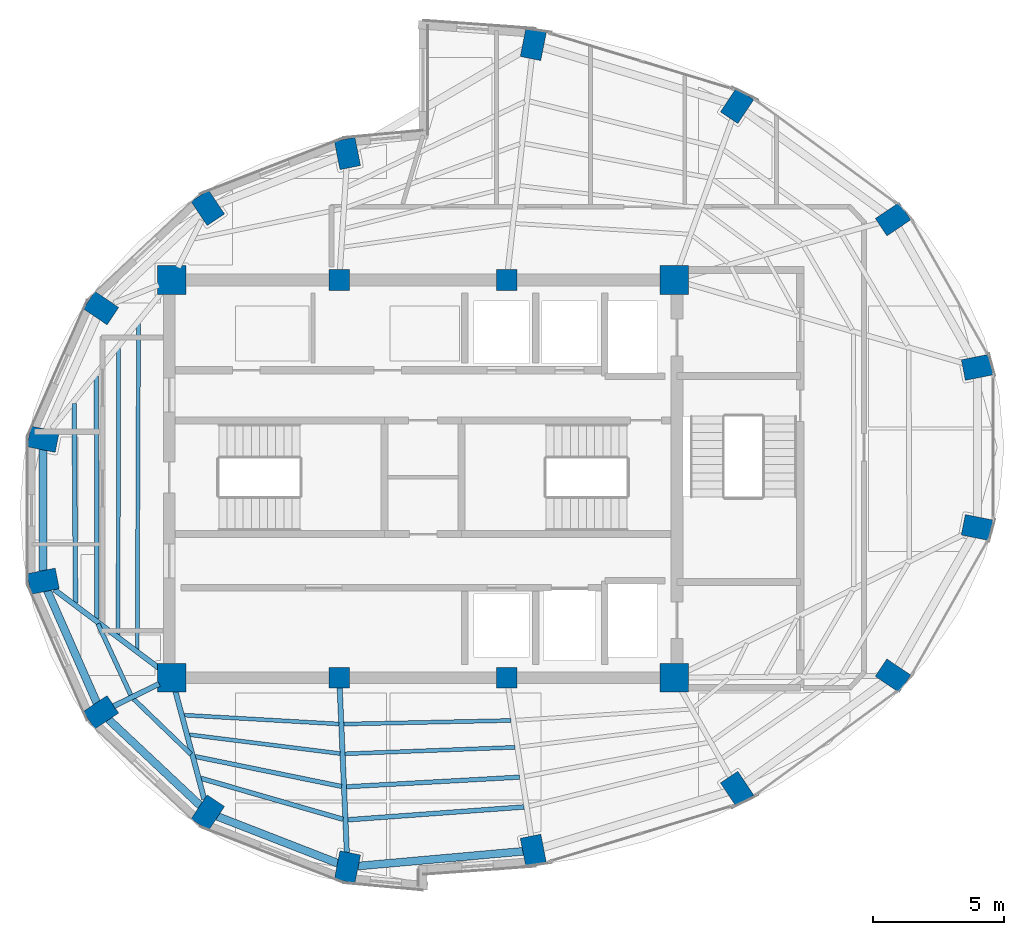
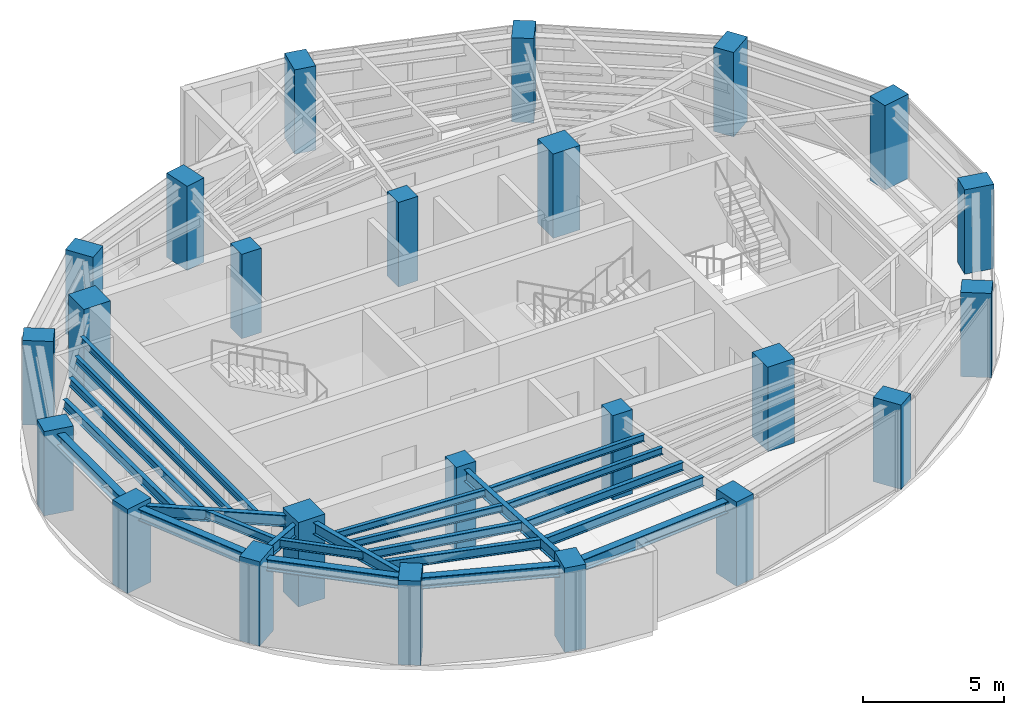
# One storey, part 1 of 13: 24 columns, 23 beams.
"""IFC4 building model written with IfcOpenShell, lengths in metres."""

from ifc_helpers import new_model, si_unit, direction, frame, origin, origin_2d, place, context, subcontext, project, spatial, rectangle, i_section, extrude, material, material_profile, profile_set, type_object, element, save


model = new_model("IFC4")

# Units and contexts
model_context = context("Model", 3, precision=1e-05, world=origin(), true_north=direction((0.0, 1.0)))
body_context = subcontext(model_context, "Body", "Model", "MODEL_VIEW")
ifc_project = project(units=[si_unit("LENGTHUNIT", "METRE"), si_unit("AREAUNIT", "SQUARE_METRE"), si_unit("VOLUMEUNIT", "CUBIC_METRE"), si_unit("PLANEANGLEUNIT", "RADIAN"), si_unit("MASSUNIT", "GRAM", prefix="KILO")], contexts=[model_context])

# Site, building, storey
site_placement = place(None, origin())
site = spatial("IfcSite", under=ifc_project, at=site_placement, CompositionType="ELEMENT")
building_placement = place(site_placement, origin())
building = spatial("IfcBuilding", under=site, at=building_placement, Name="Lazwardi Medical Tower", CompositionType="ELEMENT")
storey_placement = place(building_placement, frame((0.0, 0.0, 295.152099609375)))
storey = spatial("IfcBuildingStorey", under=building, at=storey_placement, Name="L77", CompositionType="ELEMENT", Elevation=295.152099609375)

# Columns
ifc_material_1 = material(Name="Concrete C80/95", Category="concrete")
ifc_material_profile_1 = material_profile(ifc_material_1, rectangle(XDim=1.10009765625, YDim=1.10009765625, at=origin_2d()), Name="RC 1100x1100")
ifc_profile_set_1 = profile_set([ifc_material_profile_1], Name="Concrete C80/95")
column_type_1 = type_object("IfcColumnType", Name="COL-CC-L", PredefinedType="COLUMN", material=ifc_profile_set_1)
for number, where, z_axis, x_axis, name in (
    (1, (26.39990234375, 20.39990234375, 0.0), (0.0, 0.0, 1.0), (1.0, 0.0, 0.0), "Core column CC-01 CC1 L77"),
    (2, (45.60009765625, 20.39990234375, 0.0), (0.0, 0.0, 1.0), (1.0, 0.0, 0.0), "Core column CC-01 CC4 L77"),
    (3, (45.60009765625, 35.60009765625, 0.0), (0.0, 0.0, 1.0), (1.0, 0.0, 0.0), "Core column CC-01 CC5 L77"),
    (4, (26.39990234375, 35.60009765625, 0.0), (0.0, 0.0, 1.0), (1.0, 0.0, 0.0), "Core column CC-01 CC8 L77"),
):
    element("IfcColumn", number, at=place(storey_placement, frame(where, z_axis=z_axis, x_axis=x_axis)), inside=storey, type_object=column_type_1, Name=name, PredefinedType="COLUMN", context=body_context, shape_type="SweptSolid", body=[
        extrude(rectangle(XDim=1.10009765625, YDim=1.10009765625, at=origin_2d()), origin(), (0.0, 0.0, 1.0), 3.64794921875),
    ])
ifc_material_2 = material(Name="Concrete C60/75", Category="concrete")
ifc_material_profile_2 = material_profile(ifc_material_2, rectangle(XDim=0.800048828125, YDim=0.800048828125, at=origin_2d()), Name="RC 800x800")
ifc_profile_set_2 = profile_set([ifc_material_profile_2], Name="Concrete C60/75")
column_type_2 = type_object("IfcColumnType", Name="COL-CC-U", PredefinedType="COLUMN", material=ifc_profile_set_2)
for number, where, z_axis, x_axis, name in (
    (5, (32.800048828125, 20.39990234375, 0.0), (0.0, 0.0, 1.0), (1.0, 0.0, 0.0), "Core column CC-03 CC2 L77"),
    (6, (39.199951171875, 20.39990234375, 0.0), (0.0, 0.0, 1.0), (1.0, 0.0, 0.0), "Core column CC-03 CC3 L77"),
    (7, (39.199951171875, 35.60009765625, 0.0), (0.0, 0.0, 1.0), (1.0, 0.0, 0.0), "Core column CC-03 CC6 L77"),
    (8, (32.800048828125, 35.60009765625, 0.0), (0.0, 0.0, 1.0), (1.0, 0.0, 0.0), "Core column CC-03 CC7 L77"),
):
    element("IfcColumn", number, at=place(storey_placement, frame(where, z_axis=z_axis, x_axis=x_axis)), inside=storey, type_object=column_type_2, Name=name, PredefinedType="COLUMN", context=body_context, shape_type="SweptSolid", body=[
        extrude(rectangle(XDim=0.800048828125, YDim=0.800048828125, at=origin_2d()), origin(), (0.0, 0.0, 1.0), 3.64794921875),
    ])
ifc_material_profile_3 = material_profile(ifc_material_2, rectangle(XDim=1.10009765625, YDim=0.800048828125, at=origin_2d()), Name="CFT-RECT 1100x800")
ifc_profile_set_3 = profile_set([ifc_material_profile_3], Name="Concrete C60/75")
column_type_3 = type_object("IfcColumnType", Name="COL-MC-Z4", PredefinedType="COLUMN", material=ifc_profile_set_3)
for number, where, z_axis, x_axis, name in (
    (9, (40.214111328125, 13.8017578125, 0.0), (0.0, 0.0, 1.0), (0.195090322016, -0.980785280403, 0.0), "Mega column MC-06 M01 L77"),
    (10, (48.000244140625, 16.14599609375, 0.0), (0.0, 0.0, 1.0), (0.55557023302, -0.831469612303, 0.0), "Mega column MC-06 M02 L77"),
    (11, (53.959716796875, 20.4775390625, 0.0), (0.0, 0.0, 1.0), (0.831469612303, -0.55557023302, 0.0), "Mega column MC-06 M03 L77"),
    (12, (57.18505859375, 26.13720703125, 0.0), (0.0, 0.0, 1.0), (0.980785280403, -0.195090322016, 0.0), "Mega column MC-06 M04 L77"),
    (13, (57.18505859375, 32.262939453125, 0.0), (0.0, 0.0, 1.0), (0.980785280403, 0.195090322016, 0.0), "Mega column MC-06 M05 L77"),
    (14, (53.959716796875, 37.922607421875, 0.0), (0.0, 0.0, 1.0), (0.831469612303, 0.55557023302, 0.0), "Mega column MC-06 M06 L77"),
    (15, (48.000244140625, 42.254150390625, 0.0), (0.0, 0.0, 1.0), (0.55557023302, 0.831469612303, 0.0), "Mega column MC-06 M07 L77"),
    (16, (40.214111328125, 44.598388671875, 0.0), (0.0, 0.0, 1.0), (0.195090322016, 0.980785280403, 0.0), "Mega column MC-06 M08 L77"),
    (17, (33.11279296875, 40.432861328125, 0.0), (0.0, 0.0, 1.0), (-0.195090322016, 0.980785280403, 0.0), "Mega column MC-06 M09 L77"),
    (18, (27.777587890625, 38.357421875, 0.0), (0.0, 0.0, 1.0), (-0.55557023302, 0.831469612303, 0.0), "Mega column MC-06 M10 L77"),
    (19, (23.694091796875, 34.5224609375, 0.0), (0.0, 0.0, 1.0), (-0.831469612303, 0.55557023302, 0.0), "Mega column MC-06 M11 L77"),
    (20, (21.484375, 29.51171875, 0.0), (0.0, 0.0, 1.0), (-0.980785280403, 0.195090322016, 0.0), "Mega column MC-06 M12 L77"),
    (21, (21.484375, 24.088134765625, 0.0), (0.0, 0.0, 1.0), (-0.980785280403, -0.195090322016, 0.0), "Mega column MC-06 M13 L77"),
    (22, (23.694091796875, 19.07763671875, 0.0), (0.0, 0.0, 1.0), (-0.831469612303, -0.55557023302, 0.0), "Mega column MC-06 M14 L77"),
    (23, (27.777587890625, 15.24267578125, 0.0), (0.0, 0.0, 1.0), (-0.55557023302, -0.831469612303, 0.0), "Mega column MC-06 M15 L77"),
    (24, (33.11279296875, 13.1669921875, 0.0), (0.0, 0.0, 1.0), (-0.195090322016, -0.980785280403, 0.0), "Mega column MC-06 M16 L77"),
):
    element("IfcColumn", number, at=place(storey_placement, frame(where, z_axis=z_axis, x_axis=x_axis)), inside=storey, type_object=column_type_3, Name=name, PredefinedType="COLUMN", context=body_context, shape_type="SweptSolid", body=[
        extrude(rectangle(XDim=1.10009765625, YDim=0.800048828125, at=origin_2d()), origin(), (0.0, 0.0, 1.0), 3.64794921875),
    ])

# Beams
ifc_material_3 = material(Name="Steel S355", Category="steel")
ifc_material_profile_4 = material_profile(ifc_material_3, i_section(OverallWidth=0.300048828125, OverallDepth=0.5, WebThickness=0.014404296875, FlangeThickness=0.028076171875, at=origin_2d()), Name="HEB 500")
ifc_profile_set_4 = profile_set([ifc_material_profile_4], Name="Steel S355")
beam_type_1 = type_object("IfcBeamType", Name="BM-RB-Z4", PredefinedType="BEAM", material=ifc_profile_set_4)
beam_1_placement = place(storey_placement, frame((21.484375, 29.121826171875, 3.197998046875), z_axis=(0.0, -1.0, 0.0), x_axis=(1.0, 0.0, 0.0)))
element("IfcBeam", 25, at=beam_1_placement, inside=storey, type_object=beam_type_1, Name="Ring beam RB-05 B12 L77", PredefinedType="BEAM", context=body_context, shape_type="SweptSolid", body=[
    extrude(i_section(OverallWidth=0.300048828125, OverallDepth=0.5, WebThickness=0.014404296875, FlangeThickness=0.028076171875, at=origin_2d()), origin(), (0.0, 0.0, 1.0), 4.6435546875),
])
beam_2_placement = place(storey_placement, frame((21.641845703125, 23.7314453125, 3.197998046875), z_axis=(0.403503258239, -0.914978207713, 0.0), x_axis=(0.914978207713, 0.403503258239, 0.0)))
element("IfcBeam", 26, at=beam_2_placement, inside=storey, type_object=beam_type_1, Name="Ring beam RB-05 B13 L77", PredefinedType="BEAM", context=body_context, shape_type="SweptSolid", body=[
    extrude(i_section(OverallWidth=0.300048828125, OverallDepth=0.5, WebThickness=0.014404296875, FlangeThickness=0.028076171875, at=origin_2d()), origin(), (0.0, 0.0, 1.0), 4.696533203125),
])
beam_3_placement = place(storey_placement, frame((23.978515625, 18.810546875, 3.197998046875), z_axis=(0.728935349177, -0.684582541934, 0.0), x_axis=(0.684582541934, 0.728935349177, 0.0)))
element("IfcBeam", 27, at=beam_3_placement, inside=storey, type_object=beam_type_1, Name="Ring beam RB-05 B14 L77", PredefinedType="BEAM", context=body_context, shape_type="SweptSolid", body=[
    extrude(i_section(OverallWidth=0.300048828125, OverallDepth=0.5, WebThickness=0.014404296875, FlangeThickness=0.028076171875, at=origin_2d()), origin(), (0.0, 0.0, 1.0), 4.822021484375),
])
beam_4_placement = place(storey_placement, frame((28.14111328125, 15.101318359375, 3.197998046875), z_axis=(0.931959260109, -0.362563011761, 0.0), x_axis=(0.362563011761, 0.931959260109, 0.0)))
element("IfcBeam", 28, at=beam_4_placement, inside=storey, type_object=beam_type_1, Name="Ring beam RB-05 B15 L77", PredefinedType="BEAM", context=body_context, shape_type="SweptSolid", body=[
    extrude(i_section(OverallWidth=0.300048828125, OverallDepth=0.5, WebThickness=0.014404296875, FlangeThickness=0.028076171875, at=origin_2d()), origin(), (0.0, 0.0, 1.0), 4.944580078125),
])
beam_5_placement = place(storey_placement, frame((33.501220703125, 13.201904296875, 3.197998046875), z_axis=(0.996030403479, 0.089013680669, 0.0), x_axis=(-0.089013680669, 0.996030403479, 0.0)))
element("IfcBeam", 29, at=beam_5_placement, inside=storey, type_object=beam_type_1, Name="Ring beam RB-05 B16 L77", PredefinedType="BEAM", context=body_context, shape_type="SweptSolid", body=[
    extrude(i_section(OverallWidth=0.300048828125, OverallDepth=0.5, WebThickness=0.014404296875, FlangeThickness=0.028076171875, at=origin_2d()), origin(), (0.0, 0.0, 1.0), 6.349365234375),
])
ifc_material_profile_5 = material_profile(ifc_material_3, i_section(OverallWidth=0.199951171875, OverallDepth=0.5, WebThickness=0.01025390625, FlangeThickness=0.01611328125, at=origin_2d()), Name="IPE 500")
ifc_profile_set_5 = profile_set([ifc_material_profile_5], Name="Steel S355")
beam_type_2 = type_object("IfcBeamType", Name="BM-RG-W3", PredefinedType="BEAM", material=ifc_profile_set_5)
beam_6_placement = place(storey_placement, frame((21.912353515625, 23.76708984375, 3.197998046875), z_axis=(0.79990185954, -0.600130831657, 0.0), x_axis=(0.600130831657, 0.79990185954, 0.0)))
element("IfcBeam", 30, at=beam_6_placement, inside=storey, type_object=beam_type_2, Name="Radial girder RG-04 R13 L77", PredefinedType="BEAM", context=body_context, shape_type="SweptSolid", body=[
    extrude(i_section(OverallWidth=0.199951171875, OverallDepth=0.5, WebThickness=0.01025390625, FlangeThickness=0.01611328125, at=origin_2d()), origin(), (0.0, 0.0, 1.0), 5.075439453125),
])
beam_7_placement = place(storey_placement, frame((24.1748046875, 19.3125, 3.197998046875), z_axis=(0.898439482653, 0.43909736507, 0.0), x_axis=(-0.43909736507, 0.898439482653, 0.0)))
element("IfcBeam", 31, at=beam_7_placement, inside=storey, type_object=beam_type_2, Name="Radial girder RG-04 R14 L77", PredefinedType="BEAM", context=body_context, shape_type="SweptSolid", body=[
    extrude(i_section(OverallWidth=0.199951171875, OverallDepth=0.5, WebThickness=0.01025390625, FlangeThickness=0.01611328125, at=origin_2d()), origin(), (0.0, 0.0, 1.0), 1.941650390625),
])
beam_8_placement = place(storey_placement, frame((27.639404296875, 15.759521484375, 3.197998046875), z_axis=(-0.25803645922, 0.966135179834, 0.0), x_axis=(-0.966135179834, -0.25803645922, 0.0)))
element("IfcBeam", 32, at=beam_8_placement, inside=storey, type_object=beam_type_2, Name="Radial girder RG-04 R15 L77", PredefinedType="BEAM", context=body_context, shape_type="SweptSolid", body=[
    extrude(i_section(OverallWidth=0.199951171875, OverallDepth=0.5, WebThickness=0.01025390625, FlangeThickness=0.01611328125, at=origin_2d()), origin(), (0.0, 0.0, 1.0), 4.26806640625),
])
beam_9_placement = place(storey_placement, frame((33.089599609375, 13.70166015625, 3.197998046875), z_axis=(-0.043190778794, 0.999066842923, 0.0), x_axis=(-0.999066842923, -0.043190778794, 0.0)))
element("IfcBeam", 33, at=beam_9_placement, inside=storey, type_object=beam_type_2, Name="Radial girder RG-04 R16 L77", PredefinedType="BEAM", context=body_context, shape_type="SweptSolid", body=[
    extrude(i_section(OverallWidth=0.199951171875, OverallDepth=0.5, WebThickness=0.01025390625, FlangeThickness=0.01611328125, at=origin_2d()), origin(), (0.0, 0.0, 1.0), 6.319580078125),
])
ifc_material_profile_6 = material_profile(ifc_material_3, i_section(OverallWidth=0.179931640625, OverallDepth=0.39990234375, WebThickness=0.008544921875, FlangeThickness=0.013427734375, at=origin_2d()), Name="IPE 400")
ifc_profile_set_6 = profile_set([ifc_material_profile_6], Name="Steel S355")
beam_type_3 = type_object("IfcBeamType", Name="BM-SJ-01", PredefinedType="JOIST", material=ifc_profile_set_6)
beam_10_placement = place(storey_placement, frame((22.669921875, 30.88427734375, 3.247802734375), z_axis=(0.007038023905, -0.999975232803, 0.0), x_axis=(0.999975232803, 0.007038023905, 0.0)))
element("IfcBeam", 34, at=beam_10_placement, inside=storey, type_object=beam_type_3, Name="Secondary joist SJ-01 R1 B12 L77", PredefinedType="JOIST", context=body_context, shape_type="SweptSolid", body=[
    extrude(i_section(OverallWidth=0.179931640625, OverallDepth=0.39990234375, WebThickness=0.008544921875, FlangeThickness=0.013427734375, at=origin_2d()), origin(), (0.0, 0.0, 1.0), 7.631591796875),
])
beam_11_placement = place(storey_placement, frame((27.510498046875, 16.557861328125, 3.247802734375), z_axis=(0.960828455467, -0.277143787887, 0.0), x_axis=(0.277143787887, 0.960828455467, 0.0)))
element("IfcBeam", 35, at=beam_11_placement, inside=storey, type_object=beam_type_3, Name="Secondary joist SJ-01 R1 B15 L77", PredefinedType="JOIST", context=body_context, shape_type="SweptSolid", body=[
    extrude(i_section(OverallWidth=0.179931640625, OverallDepth=0.39990234375, WebThickness=0.008544921875, FlangeThickness=0.013427734375, at=origin_2d()), origin(), (0.0, 0.0, 1.0), 5.654541015625),
])
beam_12_placement = place(storey_placement, frame((33.129638671875, 14.97119140625, 3.247802734375), z_axis=(0.997360105889, 0.072614180298, 0.0), x_axis=(-0.072614180298, 0.997360105889, 0.0)))
element("IfcBeam", 36, at=beam_12_placement, inside=storey, type_object=beam_type_3, Name="Secondary joist SJ-01 R1 B16 L77", PredefinedType="JOIST", context=body_context, shape_type="SweptSolid", body=[
    extrude(i_section(OverallWidth=0.179931640625, OverallDepth=0.39990234375, WebThickness=0.008544921875, FlangeThickness=0.013427734375, at=origin_2d()), origin(), (0.0, 0.0, 1.0), 6.751220703125),
])
ifc_material_profile_7 = material_profile(ifc_material_3, i_section(OverallWidth=0.169921875, OverallDepth=0.360107421875, WebThickness=0.008056640625, FlangeThickness=0.0126953125, at=origin_2d()), Name="IPE 360")
ifc_profile_set_7 = profile_set([ifc_material_profile_7], Name="Steel S355")
beam_type_4 = type_object("IfcBeamType", Name="BM-SJ-02", PredefinedType="JOIST", material=ifc_profile_set_7)
beam_13_placement = place(storey_placement, frame((23.51806640625, 31.935302734375, 3.267822265625), z_axis=(0.001918121439, -0.999998160403, 0.0), x_axis=(0.999998160403, 0.001918121439, 0.0)))
element("IfcBeam", 37, at=beam_13_placement, inside=storey, type_object=beam_type_4, Name="Secondary joist SJ-02 R2 B12 L77", PredefinedType="JOIST", context=body_context, shape_type="SweptSolid", body=[
    extrude(i_section(OverallWidth=0.169921875, OverallDepth=0.360107421875, WebThickness=0.008056640625, FlangeThickness=0.0126953125, at=origin_2d()), origin(), (0.0, 0.0, 1.0), 9.29150390625),
])
beam_14_placement = place(storey_placement, frame((23.575927734375, 22.46240234375, 3.267822265625), z_axis=(0.419120130681, -0.907930788143, 0.0), x_axis=(0.907930788143, 0.419120130681, 0.0)))
element("IfcBeam", 38, at=beam_14_placement, inside=storey, type_object=beam_type_4, Name="Secondary joist SJ-02 R2 B13 L77", PredefinedType="JOIST", context=body_context, shape_type="SweptSolid", body=[
    extrude(i_section(OverallWidth=0.169921875, OverallDepth=0.360107421875, WebThickness=0.008056640625, FlangeThickness=0.0126953125, at=origin_2d()), origin(), (0.0, 0.0, 1.0), 2.998779296875),
])
beam_15_placement = place(storey_placement, frame((24.94091796875, 19.587646484375, 3.267822265625), z_axis=(0.719630919159, -0.694356781626, 0.0), x_axis=(0.694356781626, 0.719630919159, 0.0)))
element("IfcBeam", 39, at=beam_15_placement, inside=storey, type_object=beam_type_4, Name="Secondary joist SJ-02 R2 B14 L77", PredefinedType="JOIST", context=body_context, shape_type="SweptSolid", body=[
    extrude(i_section(OverallWidth=0.169921875, OverallDepth=0.360107421875, WebThickness=0.008056640625, FlangeThickness=0.0126953125, at=origin_2d()), origin(), (0.0, 0.0, 1.0), 3.042724609375),
])
beam_16_placement = place(storey_placement, frame((27.2919921875, 17.389892578125, 3.267822265625), z_axis=(0.979738197465, -0.200282461608, 0.0), x_axis=(0.200282461608, 0.979738197465, 0.0)))
element("IfcBeam", 40, at=beam_16_placement, inside=storey, type_object=beam_type_4, Name="Secondary joist SJ-02 R2 B15 L77", PredefinedType="JOIST", context=body_context, shape_type="SweptSolid", body=[
    extrude(i_section(OverallWidth=0.169921875, OverallDepth=0.360107421875, WebThickness=0.008056640625, FlangeThickness=0.0126953125, at=origin_2d()), origin(), (0.0, 0.0, 1.0), 5.7109375),
])
beam_17_placement = place(storey_placement, frame((33.0751953125, 16.232421875, 3.267822265625), z_axis=(0.998451835098, 0.055623133576, 0.0), x_axis=(-0.055623133576, 0.998451835098, 0.0)))
element("IfcBeam", 41, at=beam_17_placement, inside=storey, type_object=beam_type_4, Name="Secondary joist SJ-02 R2 B16 L77", PredefinedType="JOIST", context=body_context, shape_type="SweptSolid", body=[
    extrude(i_section(OverallWidth=0.169921875, OverallDepth=0.360107421875, WebThickness=0.008056640625, FlangeThickness=0.0126953125, at=origin_2d()), origin(), (0.0, 0.0, 1.0), 6.623291015625),
])
ifc_material_profile_8 = material_profile(ifc_material_3, i_section(OverallWidth=0.14990234375, OverallDepth=0.300048828125, WebThickness=0.007080078125, FlangeThickness=0.0107421875, at=origin_2d()), Name="IPE 300")
ifc_profile_set_8 = profile_set([ifc_material_profile_8], Name="Steel S355")
beam_type_5 = type_object("IfcBeamType", Name="BM-SJ-03", PredefinedType="JOIST", material=ifc_profile_set_8)
beam_18_placement = place(storey_placement, frame((24.366455078125, 32.986572265625, 3.2978515625), z_axis=(-0.001649574216, -0.999998639452, 0.0), x_axis=(0.999998639452, -0.001649574216, 0.0)))
element("IfcBeam", 42, at=beam_18_placement, inside=storey, type_object=beam_type_5, Name="Secondary joist SJ-03 R3 B12 L77", PredefinedType="JOIST", context=body_context, shape_type="SweptSolid", body=[
    extrude(i_section(OverallWidth=0.14990234375, OverallDepth=0.300048828125, WebThickness=0.007080078125, FlangeThickness=0.0107421875, at=origin_2d()), origin(), (0.0, 0.0, 1.0), 10.9521484375),
])
beam_19_placement = place(storey_placement, frame((27.072998046875, 18.221923828125, 3.2978515625), z_axis=(0.992269460733, -0.124102043887, 0.0), x_axis=(0.124102043887, 0.992269460733, 0.0)))
element("IfcBeam", 43, at=beam_19_placement, inside=storey, type_object=beam_type_5, Name="Secondary joist SJ-03 R3 B15 L77", PredefinedType="JOIST", context=body_context, shape_type="SweptSolid", body=[
    extrude(i_section(OverallWidth=0.14990234375, OverallDepth=0.300048828125, WebThickness=0.007080078125, FlangeThickness=0.0107421875, at=origin_2d()), origin(), (0.0, 0.0, 1.0), 5.803466796875),
])
beam_20_placement = place(storey_placement, frame((33.020751953125, 17.493408203125, 3.2978515625), z_axis=(0.999278116384, 0.037990079181, 0.0), x_axis=(-0.037990079181, 0.999278116384, 0.0)))
element("IfcBeam", 44, at=beam_20_placement, inside=storey, type_object=beam_type_5, Name="Secondary joist SJ-03 R3 B16 L77", PredefinedType="JOIST", context=body_context, shape_type="SweptSolid", body=[
    extrude(i_section(OverallWidth=0.14990234375, OverallDepth=0.300048828125, WebThickness=0.007080078125, FlangeThickness=0.0107421875, at=origin_2d()), origin(), (0.0, 0.0, 1.0), 6.4970703125),
])
beam_21_placement = place(storey_placement, frame((25.1298828125, 33.9326171875, 3.2978515625), z_axis=(-0.004060302734, -0.999991756937, 0.0), x_axis=(0.999991756937, -0.004060302734, 0.0)))
element("IfcBeam", 45, at=beam_21_placement, inside=storey, type_object=beam_type_5, Name="Secondary joist SJ-03 R4 B12 L77", PredefinedType="JOIST", context=body_context, shape_type="SweptSolid", body=[
    extrude(i_section(OverallWidth=0.14990234375, OverallDepth=0.300048828125, WebThickness=0.007080078125, FlangeThickness=0.0107421875, at=origin_2d()), origin(), (0.0, 0.0, 1.0), 12.446533203125),
])
beam_22_placement = place(storey_placement, frame((26.875244140625, 18.970458984375, 3.2978515625), z_axis=(0.998360639354, -0.057236647244, 0.0), x_axis=(0.057236647244, 0.998360639354, 0.0)))
element("IfcBeam", 46, at=beam_22_placement, inside=storey, type_object=beam_type_5, Name="Secondary joist SJ-03 R4 B15 L77", PredefinedType="JOIST", context=body_context, shape_type="SweptSolid", body=[
    extrude(i_section(OverallWidth=0.14990234375, OverallDepth=0.300048828125, WebThickness=0.007080078125, FlangeThickness=0.0107421875, at=origin_2d()), origin(), (0.0, 0.0, 1.0), 5.916259765625),
])
beam_23_placement = place(storey_placement, frame((32.9716796875, 18.62841796875, 3.2978515625), z_axis=(0.999768300197, 0.021525471452, 0.0), x_axis=(-0.021525471452, 0.999768300197, 0.0)))
element("IfcBeam", 47, at=beam_23_placement, inside=storey, type_object=beam_type_5, Name="Secondary joist SJ-03 R4 B16 L77", PredefinedType="JOIST", context=body_context, shape_type="SweptSolid", body=[
    extrude(i_section(OverallWidth=0.14990234375, OverallDepth=0.300048828125, WebThickness=0.007080078125, FlangeThickness=0.0107421875, at=origin_2d()), origin(), (0.0, 0.0, 1.0), 6.385498046875),
])

save(model, "model.ifc")
